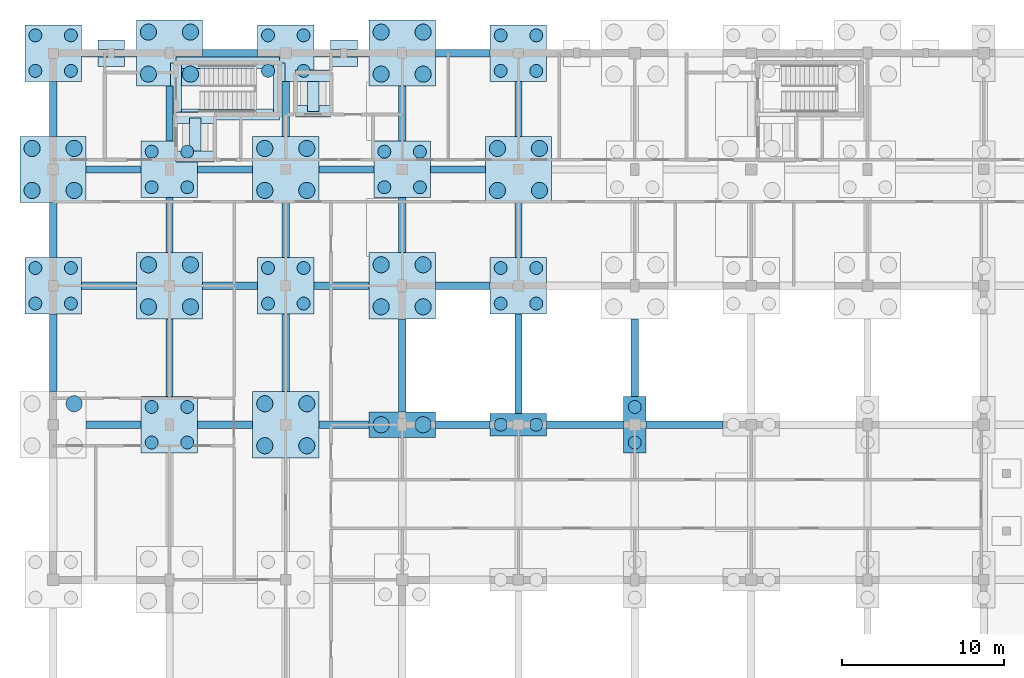
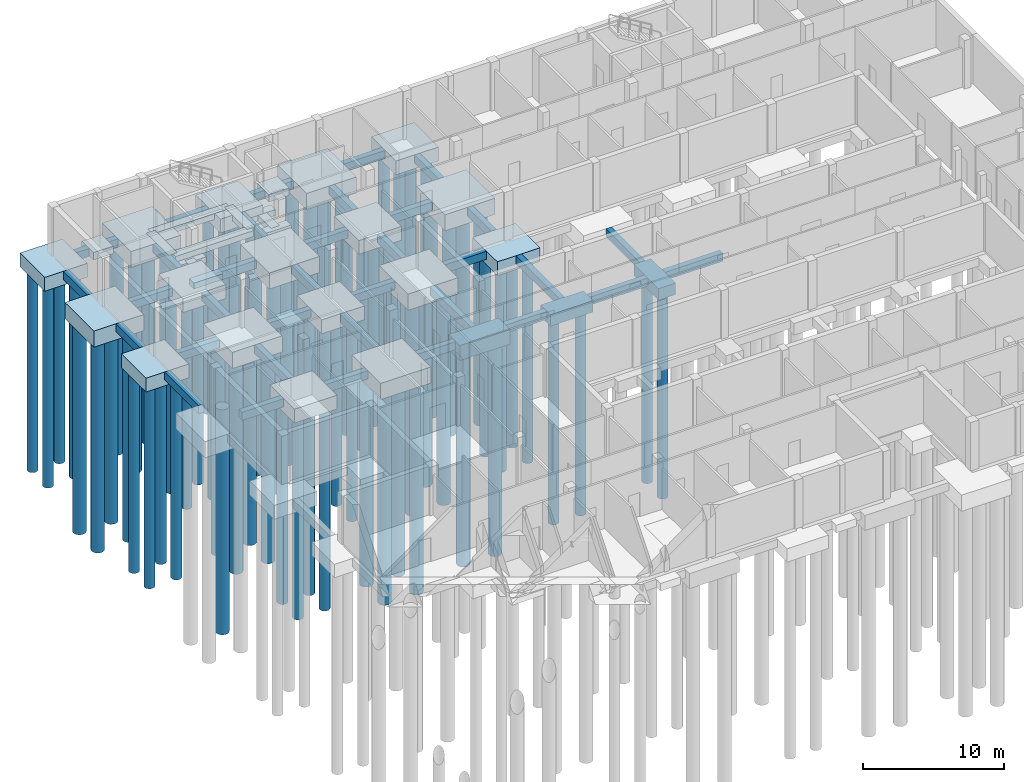
# One storey, part 3 of 17: 75 piles, 66 footings.
"""IFC4 building model written with IfcOpenShell, lengths in metres."""

import ifcopenshell
import ifcopenshell.guid

model = None  # the IFC model being written
_history = None  # IfcOwnerHistory: only IFC2X3 demands one
_inside = {}  # id of a spatial element -> (the spatial element, [elements in it])
_under = {}  # id of a project, library or spatial element -> (it, [spatial elements below it])
_declared = {}  # id of a project -> (the project, [libraries it declares])
_typed = {}  # id of a type object -> (the type object, [elements of that type])
_made_of = {}  # id of a material, layer set ... -> (it, [elements and type objects made of it])


def new_model(schema):
    """Start an empty IFC model of exactly this schema.

    Asked for "IFC4X3", IfcOpenShell would pick the latest addendum, in which some entities
    have other attributes; the version numbers below select the first issue.
    IFC2X3 requires an IfcOwnerHistory on every rooted entity: one is made here for all.
    """
    global model, _history
    if schema == "IFC4X3":
        model = ifcopenshell.file(schema_version=(4, 3, 0, 0))
    else:
        model = ifcopenshell.file(schema=schema)
    _inside.clear()
    _under.clear()
    _declared.clear()
    _typed.clear()
    _made_of.clear()
    _history = None
    if model.schema == "IFC2X3":
        org = make("IfcOrganization", Name="unknown")
        user = make(
            "IfcPersonAndOrganization",
            ThePerson=make("IfcPerson", FamilyName="unknown"),
            TheOrganization=org,
        )
        app = make(
            "IfcApplication",
            ApplicationDeveloper=org,
            Version="unknown",
            ApplicationFullName="unknown",
            ApplicationIdentifier="unknown",
        )
        _history = make(
            "IfcOwnerHistory",
            OwningUser=user,
            OwningApplication=app,
            ChangeAction="ADDED",
            CreationDate=0,
        )
    return model


def make(cls, **values):
    """One entity of the class cls with the attributes given. An attribute that is None is left unset."""
    return model.create_entity(
        cls, **{name: value for name, value in values.items() if value is not None}
    )


def rooted(cls, **values):
    """An entity with a GlobalId (a new one), such as an element, a storey or a relation."""
    return make(cls, GlobalId=ifcopenshell.guid.new(), OwnerHistory=_history, **values)


def si_unit(unit_type, name, prefix=None):
    """IfcSIUnit, for example si_unit("LENGTHUNIT", "METRE", prefix="MILLI")."""
    return make("IfcSIUnit", UnitType=unit_type, Prefix=prefix, Name=name)


def assignment(units):
    """IfcUnitAssignment: the units of a project."""
    return None if units is None else make("IfcUnitAssignment", Units=units)


def point(xyz):
    """IfcCartesianPoint."""
    return None if xyz is None else make("IfcCartesianPoint", Coordinates=xyz)


def direction(xyz):
    """IfcDirection."""
    return None if xyz is None else make("IfcDirection", DirectionRatios=xyz)


def frame(location, z_axis=None, x_axis=None):
    """IfcAxis2Placement3D, a coordinate frame: its origin and axes. An axis left out is left unset."""
    return make(
        "IfcAxis2Placement3D",
        Location=point(location),
        Axis=direction(z_axis),
        RefDirection=direction(x_axis),
    )


def frame_2d(location, x_axis=None):
    """IfcAxis2Placement2D, a coordinate frame in the plane: its origin and x axis."""
    return make(
        "IfcAxis2Placement2D", Location=point(location), RefDirection=direction(x_axis)
    )


def origin():
    """The frame at (0, 0, 0) with its axes left unset."""
    return frame((0.0, 0.0, 0.0))


def origin_2d():
    """The frame at (0, 0) in the plane with its x axis left unset."""
    return frame_2d((0.0, 0.0))


def place(relative_to, where):
    """IfcLocalPlacement: puts the frame where relative to a parent placement (None: the world)."""
    return make(
        "IfcLocalPlacement", PlacementRelTo=relative_to, RelativePlacement=where
    )


def context(
    kind, dimensions, precision=None, world=None, true_north=None, identifier=None
):
    """IfcGeometricRepresentationContext, for example the 3D "Model" context."""
    return make(
        "IfcGeometricRepresentationContext",
        ContextIdentifier=identifier,
        ContextType=kind,
        CoordinateSpaceDimension=dimensions,
        Precision=precision,
        WorldCoordinateSystem=world,
        TrueNorth=true_north,
    )


def subcontext(parent, identifier, kind, view, scale=None):
    """IfcGeometricRepresentationSubContext, for example "Body" below "Model"."""
    return make(
        "IfcGeometricRepresentationSubContext",
        ContextIdentifier=identifier,
        ContextType=kind,
        ParentContext=parent,
        TargetScale=scale,
        TargetView=view,
    )


def project(units=None, contexts=None):
    """IfcProject with its units and contexts."""
    return rooted(
        "IfcProject",
        Name="project",
        RepresentationContexts=contexts,
        UnitsInContext=assignment(units),
    )


def spatial(cls, under=None, at=None, **own):
    """A site, building, storey or space (cls), placed at a placement, below another one or the project."""
    s = rooted(cls, ObjectPlacement=at, **own)
    if under is not None:
        _under.setdefault(under.id(), (under, []))[1].append(s)
    return s


def profile(cls, at=None, kind="AREA", **sizes):
    """A parametric profile (cls). Its sizes go by their IFC names, for example OverallWidth=200.0."""
    return make(cls, ProfileType=kind, Position=at, **sizes)


def rectangle(**sizes):
    """IfcRectangleProfileDef."""
    return profile("IfcRectangleProfileDef", **sizes)


def circle(**sizes):
    """IfcCircleProfileDef."""
    return profile("IfcCircleProfileDef", **sizes)


def extrude(swept, where, along, depth):
    """IfcExtrudedAreaSolid: the profile swept, set in the frame where, extruded along a direction by depth."""
    return make(
        "IfcExtrudedAreaSolid",
        SweptArea=swept,
        Position=where,
        ExtrudedDirection=direction(along),
        Depth=depth,
    )


def shape(context_of_items, identifier, shape_type, items):
    """IfcShapeRepresentation: the items that make up one representation, for example the "Body"."""
    return make(
        "IfcShapeRepresentation",
        ContextOfItems=context_of_items,
        RepresentationIdentifier=identifier,
        RepresentationType=shape_type,
        Items=items,
    )


def material(Name=None, Category=None):
    """IfcMaterial."""
    return make("IfcMaterial", Name=Name, Category=Category)


def layer(
    of_material, thickness, ventilated=None, Name=None, Category=None, Priority=None
):
    """IfcMaterialLayer: one layer of a wall or slab, of a material (None: an air gap)."""
    return make(
        "IfcMaterialLayer",
        Material=of_material,
        LayerThickness=thickness,
        IsVentilated=ventilated,
        Name=Name,
        Category=Category,
        Priority=Priority,
    )


def layer_set(layers, Name=None):
    """IfcMaterialLayerSet."""
    return make("IfcMaterialLayerSet", MaterialLayers=layers, LayerSetName=Name)


def material_profile(
    of_material, cross_section, Name=None, Category=None, Priority=None
):
    """IfcMaterialProfile: a cross section and its material."""
    return make(
        "IfcMaterialProfile",
        Name=Name,
        Material=of_material,
        Profile=cross_section,
        Priority=Priority,
        Category=Category,
    )


def profile_set(profiles, Name=None, composite=None):
    """IfcMaterialProfileSet."""
    return make(
        "IfcMaterialProfileSet",
        Name=Name,
        MaterialProfiles=profiles,
        CompositeProfile=composite,
    )


def made_of(thing, what):
    """Note that an element or type object is made of a material, layer set ...; save() writes the relation."""
    if what is not None:
        _made_of.setdefault(what.id(), (what, []))[1].append(thing)
    return thing


def type_object(cls, material=None, **own):
    """A type object (cls), such as IfcWallType, which elements share."""
    return made_of(rooted(cls, **own), material)


def element(
    cls,
    number,
    at=None,
    inside=None,
    cuts=None,
    type_object=None,
    material=None,
    context=None,
    identifier="Body",
    shape_type=None,
    held_by="IfcProductDefinitionShape",
    body=None,
    shapes=None,
    **own,
):
    """One element of the class cls, such as IfcWall. Its Tag is "e" and its number.

    at: its placement. inside: the storey or other place that contains it. cuts: it is an
    opening in that element (IfcRelVoidsElement). A single representation is given by context,
    identifier, shape_type and body (its items); several are given by shapes. held_by: the class
    of the entity that holds the representations. save() writes the other relations.
    """
    e = rooted(cls, Tag="e%d" % number, ObjectPlacement=at, **own)
    if body is not None:
        shapes = [shape(context, identifier, shape_type, body)]
    if shapes is not None:
        e.Representation = make(held_by, Representations=shapes)
    if inside is not None:
        _inside.setdefault(inside.id(), (inside, []))[1].append(e)
    if cuts is not None:
        rooted(
            "IfcRelVoidsElement", RelatingBuildingElement=cuts, RelatedOpeningElement=e
        )
    if type_object is not None:
        _typed.setdefault(type_object.id(), (type_object, []))[1].append(e)
    return made_of(e, material)


def aggregate(whole, parts):
    """IfcRelAggregates: a whole, such as a stair, and the parts it consists of."""
    return rooted("IfcRelAggregates", RelatingObject=whole, RelatedObjects=parts)


def save(model, path):
    """Write the relations noted so far, then the file.

    IfcRelAggregates (storeys below a building ...), IfcRelContainedInSpatialStructure (elements
    in a storey), IfcRelDefinesByType, IfcRelAssociatesMaterial and IfcRelDeclares: one each for
    every whole, place, type object, material and project.
    """
    for whole, parts in _under.values():
        aggregate(whole, parts)
    for where, things in _inside.values():
        rooted(
            "IfcRelContainedInSpatialStructure",
            RelatedElements=things,
            RelatingStructure=where,
        )
    for kind, things in _typed.values():
        rooted("IfcRelDefinesByType", RelatedObjects=things, RelatingType=kind)
    for what, things in _made_of.values():
        rooted("IfcRelAssociatesMaterial", RelatedObjects=things, RelatingMaterial=what)
    for by, libraries in _declared.values():
        rooted("IfcRelDeclares", RelatingContext=by, RelatedDefinitions=libraries)
    model.write(path)


model = new_model("IFC4")

# Units and contexts
model_context = context("Model", 3, precision=1e-05, world=origin(), true_north=direction((0.0, 1.0)))
body_context = subcontext(model_context, "Body", "Model", "MODEL_VIEW")
ifc_project = project(units=[si_unit("LENGTHUNIT", "METRE"), si_unit("AREAUNIT", "SQUARE_METRE"), si_unit("VOLUMEUNIT", "CUBIC_METRE"), si_unit("PLANEANGLEUNIT", "RADIAN"), si_unit("MASSUNIT", "GRAM", prefix="KILO")], contexts=[model_context])

# Site, building, storey
site_placement = place(None, origin())
site = spatial("IfcSite", under=ifc_project, at=site_placement, CompositionType="ELEMENT")
building_placement = place(site_placement, origin())
building = spatial("IfcBuilding", under=site, at=building_placement, Name="Hawrajan Terrace Health Centre", CompositionType="ELEMENT")
storey_placement = place(building_placement, frame((0.0, 0.0, -4.5)))
storey = spatial("IfcBuildingStorey", under=building, at=storey_placement, Name="B1", CompositionType="ELEMENT", Elevation=-4.5)

# Piles
ifc_material = material(Name="Concrete C40/50", Category="concrete")
ifc_material_profile_1 = material_profile(ifc_material, circle(Radius=0.5, at=origin_2d()), Name="BP 1000")
ifc_profile_set_1 = profile_set([ifc_material_profile_1], Name="Concrete C40/50")
pile_type_1 = type_object("IfcPileType", Name="BoredPile_1000", PredefinedType="BORED", material=ifc_profile_set_1)
for number, where, z_axis, x_axis, name in (
    (1, (5.89990234375, 38.10009765625, -0.550048828125), (0.0, 0.0, -1.0), (1.0, 0.0, 0.0), "Bored pile P-016"),
    (2, (3.300048828125, 51.300048828125, -0.550048828125), (0.0, 0.0, -1.0), (1.0, 0.0, 0.0), "Bored pile P-021"),
    (3, (5.89990234375, 51.300048828125, -0.550048828125), (0.0, 0.0, -1.0), (1.0, 0.0, 0.0), "Bored pile P-022"),
    (4, (3.300048828125, 53.89990234375, -0.550048828125), (0.0, 0.0, -1.0), (1.0, 0.0, 0.0), "Bored pile P-023"),
    (5, (5.89990234375, 53.89990234375, -0.550048828125), (0.0, 0.0, -1.0), (1.0, 0.0, 0.0), "Bored pile P-024"),
    (6, (10.5, 44.10009765625, -0.550048828125), (0.0, 0.0, -1.0), (1.0, 0.0, 0.0), "Bored pile P-044"),
    (7, (13.10009765625, 44.10009765625, -0.550048828125), (0.0, 0.0, -1.0), (1.0, 0.0, 0.0), "Bored pile P-045"),
    (8, (10.5, 46.699951171875, -0.550048828125), (0.0, 0.0, -1.0), (1.0, 0.0, 0.0), "Bored pile P-046"),
    (9, (13.10009765625, 46.699951171875, -0.550048828125), (0.0, 0.0, -1.0), (1.0, 0.0, 0.0), "Bored pile P-047"),
    (10, (10.5, 58.5, -0.550048828125), (0.0, 0.0, -1.0), (1.0, 0.0, 0.0), "Bored pile P-052"),
    (11, (13.10009765625, 58.5, -0.550048828125), (0.0, 0.0, -1.0), (1.0, 0.0, 0.0), "Bored pile P-053"),
    (12, (10.5, 61.10009765625, -0.550048828125), (0.0, 0.0, -1.0), (1.0, 0.0, 0.0), "Bored pile P-054"),
    (13, (13.10009765625, 61.10009765625, -0.550048828125), (0.0, 0.0, -1.0), (1.0, 0.0, 0.0), "Bored pile P-055"),
    (14, (17.699951171875, 35.5, -0.550048828125), (0.0, 0.0, -1.0), (1.0, 0.0, 0.0), "Bored pile P-068"),
    (15, (20.300048828125, 35.5, -0.550048828125), (0.0, 0.0, -1.0), (1.0, 0.0, 0.0), "Bored pile P-069"),
    (16, (17.699951171875, 38.10009765625, -0.550048828125), (0.0, 0.0, -1.0), (1.0, 0.0, 0.0), "Bored pile P-070"),
    (17, (20.300048828125, 38.10009765625, -0.550048828125), (0.0, 0.0, -1.0), (1.0, 0.0, 0.0), "Bored pile P-071"),
    (18, (17.699951171875, 51.300048828125, -0.550048828125), (0.0, 0.0, -1.0), (1.0, 0.0, 0.0), "Bored pile P-076"),
    (19, (20.300048828125, 51.300048828125, -0.550048828125), (0.0, 0.0, -1.0), (1.0, 0.0, 0.0), "Bored pile P-077"),
    (20, (17.699951171875, 53.89990234375, -0.550048828125), (0.0, 0.0, -1.0), (1.0, 0.0, 0.0), "Bored pile P-078"),
    (21, (20.300048828125, 53.89990234375, -0.550048828125), (0.0, 0.0, -1.0), (1.0, 0.0, 0.0), "Bored pile P-079"),
    (22, (24.89990234375, 36.800048828125, -0.550048828125), (0.0, 0.0, -1.0), (1.0, 0.0, 0.0), "Bored pile P-094"),
    (23, (27.5, 36.800048828125, -0.550048828125), (0.0, 0.0, -1.0), (1.0, 0.0, 0.0), "Bored pile P-095"),
    (24, (24.89990234375, 44.10009765625, -0.550048828125), (0.0, 0.0, -1.0), (1.0, 0.0, 0.0), "Bored pile P-096"),
    (25, (27.5, 44.10009765625, -0.550048828125), (0.0, 0.0, -1.0), (1.0, 0.0, 0.0), "Bored pile P-097"),
    (26, (24.89990234375, 46.699951171875, -0.550048828125), (0.0, 0.0, -1.0), (1.0, 0.0, 0.0), "Bored pile P-098"),
    (27, (27.5, 46.699951171875, -0.550048828125), (0.0, 0.0, -1.0), (1.0, 0.0, 0.0), "Bored pile P-099"),
    (28, (24.89990234375, 58.5, -0.550048828125), (0.0, 0.0, -1.0), (1.0, 0.0, 0.0), "Bored pile P-104"),
    (29, (27.5, 58.5, -0.550048828125), (0.0, 0.0, -1.0), (1.0, 0.0, 0.0), "Bored pile P-105"),
    (30, (24.89990234375, 61.10009765625, -0.550048828125), (0.0, 0.0, -1.0), (1.0, 0.0, 0.0), "Bored pile P-106"),
    (31, (27.5, 61.10009765625, -0.550048828125), (0.0, 0.0, -1.0), (1.0, 0.0, 0.0), "Bored pile P-107"),
    (32, (32.10009765625, 51.300048828125, -0.550048828125), (0.0, 0.0, -1.0), (1.0, 0.0, 0.0), "Bored pile P-124"),
    (33, (34.699951171875, 51.300048828125, -0.550048828125), (0.0, 0.0, -1.0), (1.0, 0.0, 0.0), "Bored pile P-125"),
    (34, (32.10009765625, 53.89990234375, -0.550048828125), (0.0, 0.0, -1.0), (1.0, 0.0, 0.0), "Bored pile P-126"),
    (35, (34.699951171875, 53.89990234375, -0.550048828125), (0.0, 0.0, -1.0), (1.0, 0.0, 0.0), "Bored pile P-127"),
):
    element("IfcPile", number, at=place(storey_placement, frame(where, z_axis=z_axis, x_axis=x_axis)), inside=storey, type_object=pile_type_1, Name=name, PredefinedType="BORED", context=body_context, shape_type="SweptSolid", body=[
        extrude(circle(Radius=0.5, at=origin_2d()), origin(), (0.0, 0.0, 1.0), 19.5),
    ])
ifc_material_profile_2 = material_profile(ifc_material, circle(Radius=0.39990234375, at=origin_2d()), Name="BP 800")
ifc_profile_set_2 = profile_set([ifc_material_profile_2], Name="Concrete C40/50")
pile_type_2 = type_object("IfcPileType", Name="BoredPile_800", PredefinedType="BORED", material=ifc_profile_set_2)
for number, where, z_axis, x_axis, name in (
    (36, (3.5, 44.300048828125, -0.550048828125), (0.0, 0.0, -1.0), (1.0, 0.0, 0.0), "Bored pile P-017"),
    (37, (5.699951171875, 44.300048828125, -0.550048828125), (0.0, 0.0, -1.0), (1.0, 0.0, 0.0), "Bored pile P-018"),
    (38, (3.5, 46.5, -0.550048828125), (0.0, 0.0, -1.0), (1.0, 0.0, 0.0), "Bored pile P-019"),
    (39, (5.699951171875, 46.5, -0.550048828125), (0.0, 0.0, -1.0), (1.0, 0.0, 0.0), "Bored pile P-020"),
    (40, (3.5, 58.699951171875, -0.550048828125), (0.0, 0.0, -1.0), (1.0, 0.0, 0.0), "Bored pile P-025"),
    (41, (5.699951171875, 58.699951171875, -0.550048828125), (0.0, 0.0, -1.0), (1.0, 0.0, 0.0), "Bored pile P-026"),
    (42, (3.5, 60.89990234375, -0.550048828125), (0.0, 0.0, -1.0), (1.0, 0.0, 0.0), "Bored pile P-027"),
    (43, (5.699951171875, 60.89990234375, -0.550048828125), (0.0, 0.0, -1.0), (1.0, 0.0, 0.0), "Bored pile P-028"),
    (44, (10.699951171875, 35.699951171875, -0.550048828125), (0.0, 0.0, -1.0), (1.0, 0.0, 0.0), "Bored pile P-040"),
    (45, (12.89990234375, 35.699951171875, -0.550048828125), (0.0, 0.0, -1.0), (1.0, 0.0, 0.0), "Bored pile P-041"),
    (46, (10.699951171875, 37.89990234375, -0.550048828125), (0.0, 0.0, -1.0), (1.0, 0.0, 0.0), "Bored pile P-042"),
    (47, (12.89990234375, 37.89990234375, -0.550048828125), (0.0, 0.0, -1.0), (1.0, 0.0, 0.0), "Bored pile P-043"),
    (48, (10.699951171875, 51.5, -0.550048828125), (0.0, 0.0, -1.0), (1.0, 0.0, 0.0), "Bored pile P-048"),
    (49, (12.89990234375, 51.5, -0.550048828125), (0.0, 0.0, -1.0), (1.0, 0.0, 0.0), "Bored pile P-049"),
    (50, (10.699951171875, 53.699951171875, -0.550048828125), (0.0, 0.0, -1.0), (1.0, 0.0, 0.0), "Bored pile P-050"),
    (51, (12.89990234375, 53.699951171875, -0.550048828125), (0.0, 0.0, -1.0), (1.0, 0.0, 0.0), "Bored pile P-051"),
    (52, (17.89990234375, 44.300048828125, -0.550048828125), (0.0, 0.0, -1.0), (1.0, 0.0, 0.0), "Bored pile P-072"),
    (53, (20.10009765625, 44.300048828125, -0.550048828125), (0.0, 0.0, -1.0), (1.0, 0.0, 0.0), "Bored pile P-073"),
    (54, (17.89990234375, 46.5, -0.550048828125), (0.0, 0.0, -1.0), (1.0, 0.0, 0.0), "Bored pile P-074"),
    (55, (20.10009765625, 46.5, -0.550048828125), (0.0, 0.0, -1.0), (1.0, 0.0, 0.0), "Bored pile P-075"),
    (56, (17.89990234375, 58.699951171875, -0.550048828125), (0.0, 0.0, -1.0), (1.0, 0.0, 0.0), "Bored pile P-080"),
    (57, (20.10009765625, 58.699951171875, -0.550048828125), (0.0, 0.0, -1.0), (1.0, 0.0, 0.0), "Bored pile P-081"),
    (58, (17.89990234375, 60.89990234375, -0.550048828125), (0.0, 0.0, -1.0), (1.0, 0.0, 0.0), "Bored pile P-082"),
    (59, (20.10009765625, 60.89990234375, -0.550048828125), (0.0, 0.0, -1.0), (1.0, 0.0, 0.0), "Bored pile P-083"),
    (60, (25.10009765625, 51.5, -0.550048828125), (0.0, 0.0, -1.0), (1.0, 0.0, 0.0), "Bored pile P-100"),
    (61, (27.300048828125, 51.5, -0.550048828125), (0.0, 0.0, -1.0), (1.0, 0.0, 0.0), "Bored pile P-101"),
    (62, (25.10009765625, 53.699951171875, -0.550048828125), (0.0, 0.0, -1.0), (1.0, 0.0, 0.0), "Bored pile P-102"),
    (63, (27.300048828125, 53.699951171875, -0.550048828125), (0.0, 0.0, -1.0), (1.0, 0.0, 0.0), "Bored pile P-103"),
    (64, (32.300048828125, 36.800048828125, -0.550048828125), (0.0, 0.0, -1.0), (1.0, 0.0, 0.0), "Bored pile P-118"),
    (65, (34.5, 36.800048828125, -0.550048828125), (0.0, 0.0, -1.0), (1.0, 0.0, 0.0), "Bored pile P-119"),
    (66, (32.300048828125, 44.300048828125, -0.550048828125), (0.0, 0.0, -1.0), (1.0, 0.0, 0.0), "Bored pile P-120"),
    (67, (34.5, 44.300048828125, -0.550048828125), (0.0, 0.0, -1.0), (1.0, 0.0, 0.0), "Bored pile P-121"),
    (68, (32.300048828125, 46.5, -0.550048828125), (0.0, 0.0, -1.0), (1.0, 0.0, 0.0), "Bored pile P-122"),
    (69, (34.5, 46.5, -0.550048828125), (0.0, 0.0, -1.0), (1.0, 0.0, 0.0), "Bored pile P-123"),
    (70, (32.300048828125, 58.699951171875, -0.550048828125), (0.0, 0.0, -1.0), (1.0, 0.0, 0.0), "Bored pile P-128"),
    (71, (34.5, 58.699951171875, -0.550048828125), (0.0, 0.0, -1.0), (1.0, 0.0, 0.0), "Bored pile P-129"),
    (72, (32.300048828125, 60.89990234375, -0.550048828125), (0.0, 0.0, -1.0), (1.0, 0.0, 0.0), "Bored pile P-130"),
    (73, (34.5, 60.89990234375, -0.550048828125), (0.0, 0.0, -1.0), (1.0, 0.0, 0.0), "Bored pile P-131"),
    (74, (40.60009765625, 35.699951171875, -0.550048828125), (0.0, 0.0, -1.0), (1.0, 0.0, 0.0), "Bored pile P-141"),
    (75, (40.60009765625, 37.89990234375, -0.550048828125), (0.0, 0.0, -1.0), (1.0, 0.0, 0.0), "Bored pile P-142"),
):
    element("IfcPile", number, at=place(storey_placement, frame(where, z_axis=z_axis, x_axis=x_axis)), inside=storey, type_object=pile_type_2, Name=name, PredefinedType="BORED", context=body_context, shape_type="SweptSolid", body=[
        extrude(circle(Radius=0.39990234375, at=origin_2d()), origin(), (0.0, 0.0, 1.0), 18.5),
    ])

# Footings
ifc_material_profile_3 = material_profile(ifc_material, rectangle(XDim=0.449951171875, YDim=0.699951171875, at=origin_2d()), Name="RC BM 450x700")
ifc_profile_set_3 = profile_set([ifc_material_profile_3], Name="Concrete C40/50")
footing_type_1 = type_object("IfcFootingType", Name="GroundBeam_450x700", PredefinedType="FOOTING_BEAM", material=ifc_profile_set_3)
footing_1_placement = place(storey_placement, frame((6.64990234375, 36.800048828125, -0.800048828125), z_axis=(1.0, 0.0, 0.0), x_axis=(0.0, 1.0, 0.0)))
element("IfcFooting", 76, at=footing_1_placement, inside=storey, type_object=footing_type_1, Name="Ground tie beam GB-X-W-01-5", PredefinedType="FOOTING_BEAM", context=body_context, shape_type="SweptSolid", body=[
    extrude(rectangle(XDim=0.449951171875, YDim=0.699951171875, at=origin_2d()), origin(), (0.0, 0.0, 1.0), 3.400146484375),
])
footing_2_placement = place(storey_placement, frame((4.60009765625, 38.85009765625, -0.800048828125), z_axis=(0.0, 1.0, 0.0), x_axis=(-1.0, 0.0, 0.0)))
element("IfcFooting", 77, at=footing_2_placement, inside=storey, type_object=footing_type_1, Name="Ground tie beam GB-Y-W-01-5", PredefinedType="FOOTING_BEAM", context=body_context, shape_type="SweptSolid", body=[
    extrude(rectangle(XDim=0.449951171875, YDim=0.699951171875, at=origin_2d()), origin(), (0.0, 0.0, 1.0), 4.7998046875),
])
footing_3_placement = place(storey_placement, frame((6.35009765625, 45.39990234375, -0.800048828125), z_axis=(1.0, 0.0, 0.0), x_axis=(0.0, 1.0, 0.0)))
element("IfcFooting", 78, at=footing_3_placement, inside=storey, type_object=footing_type_1, Name="Ground tie beam GB-X-W-01-6", PredefinedType="FOOTING_BEAM", context=body_context, shape_type="SweptSolid", body=[
    extrude(rectangle(XDim=0.449951171875, YDim=0.699951171875, at=origin_2d()), origin(), (0.0, 0.0, 1.0), 3.39990234375),
])
for number, where, z_axis, x_axis, name in (
    (79, (4.60009765625, 47.14990234375, -0.800048828125), (0.0, 1.0, 0.0), (-1.0, 0.0, 0.0), "Ground tie beam GB-Y-W-01-6"),
    (80, (6.64990234375, 52.60009765625, -0.800048828125), (1.0, 0.0, 0.0), (0.0, 1.0, 0.0), "Ground tie beam GB-X-W-01-7"),
    (81, (4.60009765625, 54.64990234375, -0.800048828125), (0.0, 1.0, 0.0), (-1.0, 0.0, 0.0), "Ground tie beam GB-Y-W-01-7"),
):
    element("IfcFooting", number, at=place(storey_placement, frame(where, z_axis=z_axis, x_axis=x_axis)), inside=storey, type_object=footing_type_1, Name=name, PredefinedType="FOOTING_BEAM", context=body_context, shape_type="SweptSolid", body=[
        extrude(rectangle(XDim=0.449951171875, YDim=0.699951171875, at=origin_2d()), origin(), (0.0, 0.0, 1.0), 3.400146484375),
    ])
for number, where, z_axis, x_axis, name in (
    (82, (6.35009765625, 59.800048828125, -0.800048828125), (1.0, 0.0, 0.0), (0.0, 1.0, 0.0), "Ground tie beam GB-X-W-01-8"),
    (83, (13.550048828125, 36.800048828125, -0.800048828125), (1.0, 0.0, 0.0), (0.0, 1.0, 0.0), "Ground tie beam GB-X-W-02-5"),
):
    element("IfcFooting", number, at=place(storey_placement, frame(where, z_axis=z_axis, x_axis=x_axis)), inside=storey, type_object=footing_type_1, Name=name, PredefinedType="FOOTING_BEAM", context=body_context, shape_type="SweptSolid", body=[
        extrude(rectangle(XDim=0.449951171875, YDim=0.699951171875, at=origin_2d()), origin(), (0.0, 0.0, 1.0), 3.39990234375),
    ])
footing_4_placement = place(storey_placement, frame((11.800048828125, 38.550048828125, -0.800048828125), z_axis=(0.0, 1.0, 0.0), x_axis=(-1.0, 0.0, 0.0)))
element("IfcFooting", 84, at=footing_4_placement, inside=storey, type_object=footing_type_1, Name="Ground tie beam GB-Y-W-02-5", PredefinedType="FOOTING_BEAM", context=body_context, shape_type="SweptSolid", body=[
    extrude(rectangle(XDim=0.449951171875, YDim=0.699951171875, at=origin_2d()), origin(), (0.0, 0.0, 1.0), 4.800048828125),
])
footing_5_placement = place(storey_placement, frame((13.85009765625, 45.39990234375, -0.800048828125), z_axis=(1.0, 0.0, 0.0), x_axis=(0.0, 1.0, 0.0)))
element("IfcFooting", 85, at=footing_5_placement, inside=storey, type_object=footing_type_1, Name="Ground tie beam GB-X-W-02-6", PredefinedType="FOOTING_BEAM", context=body_context, shape_type="SweptSolid", body=[
    extrude(rectangle(XDim=0.449951171875, YDim=0.699951171875, at=origin_2d()), origin(), (0.0, 0.0, 1.0), 3.39990234375),
])
footing_6_placement = place(storey_placement, frame((11.800048828125, 47.449951171875, -0.800048828125), z_axis=(0.0, 1.0, 0.0), x_axis=(-1.0, 0.0, 0.0)))
element("IfcFooting", 86, at=footing_6_placement, inside=storey, type_object=footing_type_1, Name="Ground tie beam GB-Y-W-02-6", PredefinedType="FOOTING_BEAM", context=body_context, shape_type="SweptSolid", body=[
    extrude(rectangle(XDim=0.449951171875, YDim=0.699951171875, at=origin_2d()), origin(), (0.0, 0.0, 1.0), 3.400146484375),
])
for number, where, z_axis, x_axis, name in (
    (87, (13.550048828125, 52.60009765625, -0.800048828125), (1.0, 0.0, 0.0), (0.0, 1.0, 0.0), "Ground tie beam GB-X-W-02-7"),
    (88, (11.800048828125, 54.35009765625, -0.800048828125), (0.0, 1.0, 0.0), (-1.0, 0.0, 0.0), "Ground tie beam GB-Y-W-02-7"),
    (89, (13.85009765625, 59.800048828125, -0.800048828125), (1.0, 0.0, 0.0), (0.0, 1.0, 0.0), "Ground tie beam GB-X-W-02-8"),
):
    element("IfcFooting", number, at=place(storey_placement, frame(where, z_axis=z_axis, x_axis=x_axis)), inside=storey, type_object=footing_type_1, Name=name, PredefinedType="FOOTING_BEAM", context=body_context, shape_type="SweptSolid", body=[
        extrude(rectangle(XDim=0.449951171875, YDim=0.699951171875, at=origin_2d()), origin(), (0.0, 0.0, 1.0), 3.39990234375),
    ])
footing_7_placement = place(storey_placement, frame((21.050048828125, 36.800048828125, -0.800048828125), z_axis=(1.0, 0.0, 0.0), x_axis=(0.0, 1.0, 0.0)))
element("IfcFooting", 90, at=footing_7_placement, inside=storey, type_object=footing_type_1, Name="Ground tie beam GB-X-W-03-5", PredefinedType="FOOTING_BEAM", context=body_context, shape_type="SweptSolid", body=[
    extrude(rectangle(XDim=0.449951171875, YDim=0.699951171875, at=origin_2d()), origin(), (0.0, 0.0, 1.0), 3.099853515625),
])
footing_8_placement = place(storey_placement, frame((19.0, 38.85009765625, -0.800048828125), z_axis=(0.0, 1.0, 0.0), x_axis=(-1.0, 0.0, 0.0)))
element("IfcFooting", 91, at=footing_8_placement, inside=storey, type_object=footing_type_1, Name="Ground tie beam GB-Y-W-03-5", PredefinedType="FOOTING_BEAM", context=body_context, shape_type="SweptSolid", body=[
    extrude(rectangle(XDim=0.449951171875, YDim=0.699951171875, at=origin_2d()), origin(), (0.0, 0.0, 1.0), 4.7998046875),
])
footing_9_placement = place(storey_placement, frame((20.75, 45.39990234375, -0.800048828125), z_axis=(1.0, 0.0, 0.0), x_axis=(0.0, 1.0, 0.0)))
element("IfcFooting", 92, at=footing_9_placement, inside=storey, type_object=footing_type_1, Name="Ground tie beam GB-X-W-03-6", PredefinedType="FOOTING_BEAM", context=body_context, shape_type="SweptSolid", body=[
    extrude(rectangle(XDim=0.449951171875, YDim=0.699951171875, at=origin_2d()), origin(), (0.0, 0.0, 1.0), 3.39990234375),
])
footing_10_placement = place(storey_placement, frame((19.0, 47.14990234375, -0.800048828125), z_axis=(0.0, 1.0, 0.0), x_axis=(-1.0, 0.0, 0.0)))
element("IfcFooting", 93, at=footing_10_placement, inside=storey, type_object=footing_type_1, Name="Ground tie beam GB-Y-W-03-6", PredefinedType="FOOTING_BEAM", context=body_context, shape_type="SweptSolid", body=[
    extrude(rectangle(XDim=0.449951171875, YDim=0.699951171875, at=origin_2d()), origin(), (0.0, 0.0, 1.0), 3.400146484375),
])
footing_11_placement = place(storey_placement, frame((21.050048828125, 52.60009765625, -0.800048828125), z_axis=(1.0, 0.0, 0.0), x_axis=(0.0, 1.0, 0.0)))
element("IfcFooting", 94, at=footing_11_placement, inside=storey, type_object=footing_type_1, Name="Ground tie beam GB-X-W-03-7", PredefinedType="FOOTING_BEAM", context=body_context, shape_type="SweptSolid", body=[
    extrude(rectangle(XDim=0.449951171875, YDim=0.699951171875, at=origin_2d()), origin(), (0.0, 0.0, 1.0), 3.39990234375),
])
footing_12_placement = place(storey_placement, frame((19.0, 54.64990234375, -0.800048828125), z_axis=(0.0, 1.0, 0.0), x_axis=(-1.0, 0.0, 0.0)))
element("IfcFooting", 95, at=footing_12_placement, inside=storey, type_object=footing_type_1, Name="Ground tie beam GB-Y-W-03-7", PredefinedType="FOOTING_BEAM", context=body_context, shape_type="SweptSolid", body=[
    extrude(rectangle(XDim=0.449951171875, YDim=0.699951171875, at=origin_2d()), origin(), (0.0, 0.0, 1.0), 3.400146484375),
])
for number, where, z_axis, x_axis, name in (
    (96, (20.75, 59.800048828125, -0.800048828125), (1.0, 0.0, 0.0), (0.0, 1.0, 0.0), "Ground tie beam GB-X-W-03-8"),
    (97, (28.25, 36.800048828125, -0.800048828125), (1.0, 0.0, 0.0), (0.0, 1.0, 0.0), "Ground tie beam GB-X-W-04-5"),
):
    element("IfcFooting", number, at=place(storey_placement, frame(where, z_axis=z_axis, x_axis=x_axis)), inside=storey, type_object=footing_type_1, Name=name, PredefinedType="FOOTING_BEAM", context=body_context, shape_type="SweptSolid", body=[
        extrude(rectangle(XDim=0.449951171875, YDim=0.699951171875, at=origin_2d()), origin(), (0.0, 0.0, 1.0), 3.39990234375),
    ])
footing_13_placement = place(storey_placement, frame((26.199951171875, 37.60009765625, -0.800048828125), z_axis=(0.0, 1.0, 0.0), x_axis=(-1.0, 0.0, 0.0)))
element("IfcFooting", 98, at=footing_13_placement, inside=storey, type_object=footing_type_1, Name="Ground tie beam GB-Y-W-04-5", PredefinedType="FOOTING_BEAM", context=body_context, shape_type="SweptSolid", body=[
    extrude(rectangle(XDim=0.449951171875, YDim=0.699951171875, at=origin_2d()), origin(), (0.0, 0.0, 1.0), 5.75),
])
footing_14_placement = place(storey_placement, frame((28.25, 45.39990234375, -0.800048828125), z_axis=(1.0, 0.0, 0.0), x_axis=(0.0, 1.0, 0.0)))
element("IfcFooting", 99, at=footing_14_placement, inside=storey, type_object=footing_type_1, Name="Ground tie beam GB-X-W-04-6", PredefinedType="FOOTING_BEAM", context=body_context, shape_type="SweptSolid", body=[
    extrude(rectangle(XDim=0.449951171875, YDim=0.699951171875, at=origin_2d()), origin(), (0.0, 0.0, 1.0), 3.39990234375),
])
for number, where, z_axis, x_axis, name in (
    (100, (26.199951171875, 47.449951171875, -0.800048828125), (0.0, 1.0, 0.0), (-1.0, 0.0, 0.0), "Ground tie beam GB-Y-W-04-6"),
    (101, (27.949951171875, 52.60009765625, -0.800048828125), (1.0, 0.0, 0.0), (0.0, 1.0, 0.0), "Ground tie beam GB-X-W-04-7"),
):
    element("IfcFooting", number, at=place(storey_placement, frame(where, z_axis=z_axis, x_axis=x_axis)), inside=storey, type_object=footing_type_1, Name=name, PredefinedType="FOOTING_BEAM", context=body_context, shape_type="SweptSolid", body=[
        extrude(rectangle(XDim=0.449951171875, YDim=0.699951171875, at=origin_2d()), origin(), (0.0, 0.0, 1.0), 3.400146484375),
    ])
for number, where, z_axis, x_axis, name in (
    (102, (26.199951171875, 54.35009765625, -0.800048828125), (0.0, 1.0, 0.0), (-1.0, 0.0, 0.0), "Ground tie beam GB-Y-W-04-7"),
    (103, (28.25, 59.800048828125, -0.800048828125), (1.0, 0.0, 0.0), (0.0, 1.0, 0.0), "Ground tie beam GB-X-W-04-8"),
):
    element("IfcFooting", number, at=place(storey_placement, frame(where, z_axis=z_axis, x_axis=x_axis)), inside=storey, type_object=footing_type_1, Name=name, PredefinedType="FOOTING_BEAM", context=body_context, shape_type="SweptSolid", body=[
        extrude(rectangle(XDim=0.449951171875, YDim=0.699951171875, at=origin_2d()), origin(), (0.0, 0.0, 1.0), 3.39990234375),
    ])
footing_15_placement = place(storey_placement, frame((35.14990234375, 36.800048828125, -0.800048828125), z_axis=(1.0, 0.0, 0.0), x_axis=(0.0, 1.0, 0.0)))
element("IfcFooting", 104, at=footing_15_placement, inside=storey, type_object=footing_type_1, Name="Ground tie beam GB-X-W-05-5", PredefinedType="FOOTING_BEAM", context=body_context, shape_type="SweptSolid", body=[
    extrude(rectangle(XDim=0.449951171875, YDim=0.699951171875, at=origin_2d()), origin(), (0.0, 0.0, 1.0), 4.75),
])
footing_16_placement = place(storey_placement, frame((33.39990234375, 37.5, -0.800048828125), z_axis=(0.0, 1.0, 0.0), x_axis=(-1.0, 0.0, 0.0)))
element("IfcFooting", 105, at=footing_16_placement, inside=storey, type_object=footing_type_1, Name="Ground tie beam GB-Y-W-05-5", PredefinedType="FOOTING_BEAM", context=body_context, shape_type="SweptSolid", body=[
    extrude(rectangle(XDim=0.449951171875, YDim=0.699951171875, at=origin_2d()), origin(), (0.0, 0.0, 1.0), 6.14990234375),
])
for number, where, z_axis, x_axis, name in (
    (106, (33.39990234375, 47.14990234375, -0.800048828125), (0.0, 1.0, 0.0), (-1.0, 0.0, 0.0), "Ground tie beam GB-Y-W-05-6"),
    (107, (33.39990234375, 54.64990234375, -0.800048828125), (0.0, 1.0, 0.0), (-1.0, 0.0, 0.0), "Ground tie beam GB-Y-W-05-7"),
):
    element("IfcFooting", number, at=place(storey_placement, frame(where, z_axis=z_axis, x_axis=x_axis)), inside=storey, type_object=footing_type_1, Name=name, PredefinedType="FOOTING_BEAM", context=body_context, shape_type="SweptSolid", body=[
        extrude(rectangle(XDim=0.449951171875, YDim=0.699951171875, at=origin_2d()), origin(), (0.0, 0.0, 1.0), 3.400146484375),
    ])
footing_17_placement = place(storey_placement, frame((41.300048828125, 36.800048828125, -0.800048828125), z_axis=(1.0, 0.0, 0.0), x_axis=(0.0, 1.0, 0.0)))
element("IfcFooting", 108, at=footing_17_placement, inside=storey, type_object=footing_type_1, Name="Ground tie beam GB-X-W-06-5", PredefinedType="FOOTING_BEAM", context=body_context, shape_type="SweptSolid", body=[
    extrude(rectangle(XDim=0.449951171875, YDim=0.699951171875, at=origin_2d()), origin(), (0.0, 0.0, 1.0), 4.75),
])
footing_18_placement = place(storey_placement, frame((40.60009765625, 38.550048828125, -0.800048828125), z_axis=(0.0, 1.0, 0.0), x_axis=(-1.0, 0.0, 0.0)))
element("IfcFooting", 109, at=footing_18_placement, inside=storey, type_object=footing_type_1, Name="Ground tie beam GB-Y-W-06-5", PredefinedType="FOOTING_BEAM", context=body_context, shape_type="SweptSolid", body=[
    extrude(rectangle(XDim=0.449951171875, YDim=0.699951171875, at=origin_2d()), origin(), (0.0, 0.0, 1.0), 4.800048828125),
])
ifc_layer_1 = layer(ifc_material, 0.64990234375)
ifc_layer_set_1 = layer_set([ifc_layer_1], Name="Concrete C40/50")
footing_type_2 = type_object("IfcFootingType", Name="PadFooting_1650", PredefinedType="PAD_FOOTING", material=ifc_layer_set_1)
for number, where, z_axis, x_axis, name in (
    (110, (8.199951171875, 59.800048828125, -1.099853515625), (0.0, 0.0, 1.0), (1.0, 0.0, 0.0), "Pilaster pad footing W-01-Y8"),
    (111, (22.60009765625, 59.800048828125, -1.099853515625), (0.0, 0.0, 1.0), (1.0, 0.0, 0.0), "Pilaster pad footing W-03-Y8"),
):
    element("IfcFooting", number, at=place(storey_placement, frame(where, z_axis=z_axis, x_axis=x_axis)), inside=storey, type_object=footing_type_2, Name=name, PredefinedType="PAD_FOOTING", context=body_context, shape_type="SweptSolid", body=[
        extrude(rectangle(XDim=1.64990234375, YDim=1.64990234375, at=origin_2d()), origin(), (0.0, 0.0, 1.0), 0.64990234375),
    ])
ifc_layer_2 = layer(ifc_material, 1.300048828125)
ifc_layer_set_2 = layer_set([ifc_layer_2], Name="Concrete C40/50")
footing_type_3 = type_object("IfcFootingType", Name="PileCap_2P1000_EW", PredefinedType="PILE_CAP", material=ifc_layer_set_2)
footing_19_placement = place(storey_placement, frame((26.199951171875, 36.800048828125, -1.75), z_axis=(0.0, 0.0, 1.0), x_axis=(1.0, 0.0, 0.0)))
element("IfcFooting", 112, at=footing_19_placement, inside=storey, type_object=footing_type_3, Name="Foundation FT-W-X04-Y5", PredefinedType="PILE_CAP", context=body_context, shape_type="SweptSolid", body=[
    extrude(rectangle(XDim=4.10009765625, YDim=1.60009765625, at=origin_2d()), origin(), (0.0, 0.0, 1.0), 1.300048828125),
])
ifc_layer_3 = layer(ifc_material, 1.0)
ifc_layer_set_3 = layer_set([ifc_layer_3], Name="Concrete C40/50")
footing_type_4 = type_object("IfcFootingType", Name="PileCap_2P800_EW", PredefinedType="PILE_CAP", material=ifc_layer_set_3)
footing_20_placement = place(storey_placement, frame((33.39990234375, 36.800048828125, -1.449951171875), z_axis=(0.0, 0.0, 1.0), x_axis=(1.0, 0.0, 0.0)))
element("IfcFooting", 113, at=footing_20_placement, inside=storey, type_object=footing_type_4, Name="Foundation FT-W-X05-Y5", PredefinedType="PILE_CAP", context=body_context, shape_type="SweptSolid", body=[
    extrude(rectangle(XDim=3.5, YDim=1.39990234375, at=origin_2d()), origin(), (0.0, 0.0, 1.0), 1.0),
])
ifc_layer_4 = layer(ifc_material, 1.0)
ifc_layer_set_4 = layer_set([ifc_layer_4], Name="Concrete C40/50")
footing_type_5 = type_object("IfcFootingType", Name="PileCap_2P800_NS", PredefinedType="PILE_CAP", material=ifc_layer_set_4)
footing_21_placement = place(storey_placement, frame((40.60009765625, 36.800048828125, -1.449951171875), z_axis=(0.0, 0.0, 1.0), x_axis=(1.0, 0.0, 0.0)))
element("IfcFooting", 114, at=footing_21_placement, inside=storey, type_object=footing_type_5, Name="Foundation FT-W-X06-Y5", PredefinedType="PILE_CAP", context=body_context, shape_type="SweptSolid", body=[
    extrude(rectangle(XDim=1.39990234375, YDim=3.5, at=origin_2d()), origin(), (0.0, 0.0, 1.0), 1.0),
])
ifc_layer_5 = layer(ifc_material, 1.39990234375)
ifc_layer_set_5 = layer_set([ifc_layer_5], Name="Concrete C40/50")
footing_type_6 = type_object("IfcFootingType", Name="PileCap_4P1000", PredefinedType="PILE_CAP", material=ifc_layer_set_5)
for number, where, z_axis, x_axis, name in (
    (115, (4.60009765625, 52.60009765625, -1.849853515625), (0.0, 0.0, 1.0), (1.0, 0.0, 0.0), "Foundation FT-W-X01-Y7"),
    (116, (11.800048828125, 45.39990234375, -1.849853515625), (0.0, 0.0, 1.0), (1.0, 0.0, 0.0), "Foundation FT-W-X02-Y6"),
    (117, (11.800048828125, 59.800048828125, -1.849853515625), (0.0, 0.0, 1.0), (1.0, 0.0, 0.0), "Foundation FT-W-X02-Y8"),
    (118, (19.0, 36.800048828125, -1.849853515625), (0.0, 0.0, 1.0), (1.0, 0.0, 0.0), "Foundation FT-W-X03-Y5"),
    (119, (19.0, 52.60009765625, -1.849853515625), (0.0, 0.0, 1.0), (1.0, 0.0, 0.0), "Foundation FT-W-X03-Y7"),
    (120, (26.199951171875, 45.39990234375, -1.849853515625), (0.0, 0.0, 1.0), (1.0, 0.0, 0.0), "Foundation FT-W-X04-Y6"),
    (121, (26.199951171875, 59.800048828125, -1.849853515625), (0.0, 0.0, 1.0), (1.0, 0.0, 0.0), "Foundation FT-W-X04-Y8"),
    (122, (33.39990234375, 52.60009765625, -1.849853515625), (0.0, 0.0, 1.0), (1.0, 0.0, 0.0), "Foundation FT-W-X05-Y7"),
):
    element("IfcFooting", number, at=place(storey_placement, frame(where, z_axis=z_axis, x_axis=x_axis)), inside=storey, type_object=footing_type_6, Name=name, PredefinedType="PILE_CAP", context=body_context, shape_type="SweptSolid", body=[
        extrude(rectangle(XDim=4.10009765625, YDim=4.10009765625, at=origin_2d()), origin(), (0.0, 0.0, 1.0), 1.39990234375),
    ])
ifc_layer_6 = layer(ifc_material, 1.199951171875)
ifc_layer_set_6 = layer_set([ifc_layer_6], Name="Concrete C40/50")
footing_type_7 = type_object("IfcFootingType", Name="PileCap_4P800", PredefinedType="PILE_CAP", material=ifc_layer_set_6)
for number, where, z_axis, x_axis, name in (
    (123, (4.60009765625, 45.39990234375, -1.64990234375), (0.0, 0.0, 1.0), (1.0, 0.0, 0.0), "Foundation FT-W-X01-Y6"),
    (124, (4.60009765625, 59.800048828125, -1.64990234375), (0.0, 0.0, 1.0), (1.0, 0.0, 0.0), "Foundation FT-W-X01-Y8"),
    (125, (11.800048828125, 36.800048828125, -1.64990234375), (0.0, 0.0, 1.0), (1.0, 0.0, 0.0), "Foundation FT-W-X02-Y5"),
    (126, (11.800048828125, 52.60009765625, -1.64990234375), (0.0, 0.0, 1.0), (1.0, 0.0, 0.0), "Foundation FT-W-X02-Y7"),
    (127, (19.0, 45.39990234375, -1.64990234375), (0.0, 0.0, 1.0), (1.0, 0.0, 0.0), "Foundation FT-W-X03-Y6"),
    (128, (19.0, 59.800048828125, -1.64990234375), (0.0, 0.0, 1.0), (1.0, 0.0, 0.0), "Foundation FT-W-X03-Y8"),
    (129, (26.199951171875, 52.60009765625, -1.64990234375), (0.0, 0.0, 1.0), (1.0, 0.0, 0.0), "Foundation FT-W-X04-Y7"),
    (130, (33.39990234375, 45.39990234375, -1.64990234375), (0.0, 0.0, 1.0), (1.0, 0.0, 0.0), "Foundation FT-W-X05-Y6"),
    (131, (33.39990234375, 59.800048828125, -1.64990234375), (0.0, 0.0, 1.0), (1.0, 0.0, 0.0), "Foundation FT-W-X05-Y8"),
):
    element("IfcFooting", number, at=place(storey_placement, frame(where, z_axis=z_axis, x_axis=x_axis)), inside=storey, type_object=footing_type_7, Name=name, PredefinedType="PILE_CAP", context=body_context, shape_type="SweptSolid", body=[
        extrude(rectangle(XDim=3.5, YDim=3.5, at=origin_2d()), origin(), (0.0, 0.0, 1.0), 1.199951171875),
    ])
ifc_material_profile_4 = material_profile(ifc_material, rectangle(XDim=0.699951171875, YDim=0.5, at=origin_2d()), Name="RC STRIP 700x500")
ifc_profile_set_4 = profile_set([ifc_material_profile_4], Name="Concrete C40/50")
footing_type_8 = type_object("IfcFootingType", Name="StripFooting_700x500", PredefinedType="STRIP_FOOTING", material=ifc_profile_set_4)
for number, where, z_axis, x_axis, name in (
    (132, (12.199951171875, 56.0, -0.699951171875), (1.0, 0.0, 0.0), (0.0, 1.0, 0.0), "Stair shaft strip footing C1-S"),
    (133, (12.199951171875, 59.199951171875, -0.699951171875), (1.0, 0.0, 0.0), (0.0, 1.0, 0.0), "Stair shaft strip footing C1-N"),
):
    element("IfcFooting", number, at=place(storey_placement, frame(where, z_axis=z_axis, x_axis=x_axis)), inside=storey, type_object=footing_type_8, Name=name, PredefinedType="STRIP_FOOTING", context=body_context, shape_type="SweptSolid", body=[
        extrude(rectangle(XDim=0.699951171875, YDim=0.5, at=origin_2d()), origin(), (0.0, 0.0, 1.0), 6.400146484375),
    ])
for number, where, z_axis, x_axis, name in (
    (134, (12.199951171875, 56.0, -0.699951171875), (0.0, 1.0, 0.0), (-1.0, 0.0, 0.0), "Stair shaft strip footing C1-W"),
    (135, (18.60009765625, 56.0, -0.699951171875), (0.0, 1.0, 0.0), (-1.0, 0.0, 0.0), "Stair shaft strip footing C1-E"),
):
    element("IfcFooting", number, at=place(storey_placement, frame(where, z_axis=z_axis, x_axis=x_axis)), inside=storey, type_object=footing_type_8, Name=name, PredefinedType="STRIP_FOOTING", context=body_context, shape_type="SweptSolid", body=[
        extrude(rectangle(XDim=0.699951171875, YDim=0.5, at=origin_2d()), origin(), (0.0, 0.0, 1.0), 3.199951171875),
    ])
for number, where, z_axis, x_axis, name in (
    (136, (12.199951171875, 53.39990234375, -1.449951171875), (1.0, 0.0, 0.0), (0.0, 1.0, 0.0), "Lift pit strip footing LC-01-1"),
    (137, (12.199951171875, 55.800048828125, -1.449951171875), (1.0, 0.0, 0.0), (0.0, 1.0, 0.0), "Lift pit strip footing LC-01-2"),
    (138, (13.39990234375, 53.39990234375, -1.449951171875), (0.0, 1.0, 0.0), (-1.0, 0.0, 0.0), "Lift pit strip footing LC-01-3"),
):
    element("IfcFooting", number, at=place(storey_placement, frame(where, z_axis=z_axis, x_axis=x_axis)), inside=storey, type_object=footing_type_8, Name=name, PredefinedType="STRIP_FOOTING", context=body_context, shape_type="SweptSolid", body=[
        extrude(rectangle(XDim=0.699951171875, YDim=0.5, at=origin_2d()), origin(), (0.0, 0.0, 1.0), 2.400146484375),
    ])
for number, where, z_axis, x_axis, name in (
    (139, (19.60009765625, 56.199951171875, -1.449951171875), (1.0, 0.0, 0.0), (0.0, 1.0, 0.0), "Lift pit strip footing LC-02-1"),
    (140, (19.60009765625, 58.39990234375, -1.449951171875), (1.0, 0.0, 0.0), (0.0, 1.0, 0.0), "Lift pit strip footing LC-02-2"),
    (141, (20.699951171875, 56.199951171875, -1.449951171875), (0.0, 1.0, 0.0), (-1.0, 0.0, 0.0), "Lift pit strip footing LC-02-3"),
):
    element("IfcFooting", number, at=place(storey_placement, frame(where, z_axis=z_axis, x_axis=x_axis)), inside=storey, type_object=footing_type_8, Name=name, PredefinedType="STRIP_FOOTING", context=body_context, shape_type="SweptSolid", body=[
        extrude(rectangle(XDim=0.699951171875, YDim=0.5, at=origin_2d()), origin(), (0.0, 0.0, 1.0), 2.199951171875),
    ])

save(model, "model.ifc")
